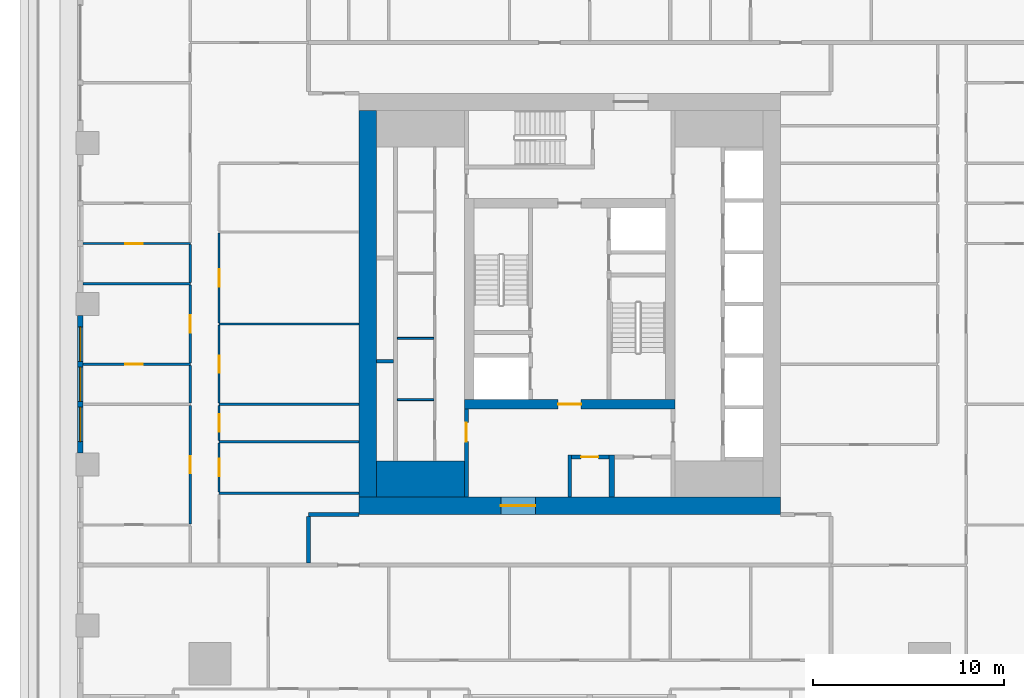
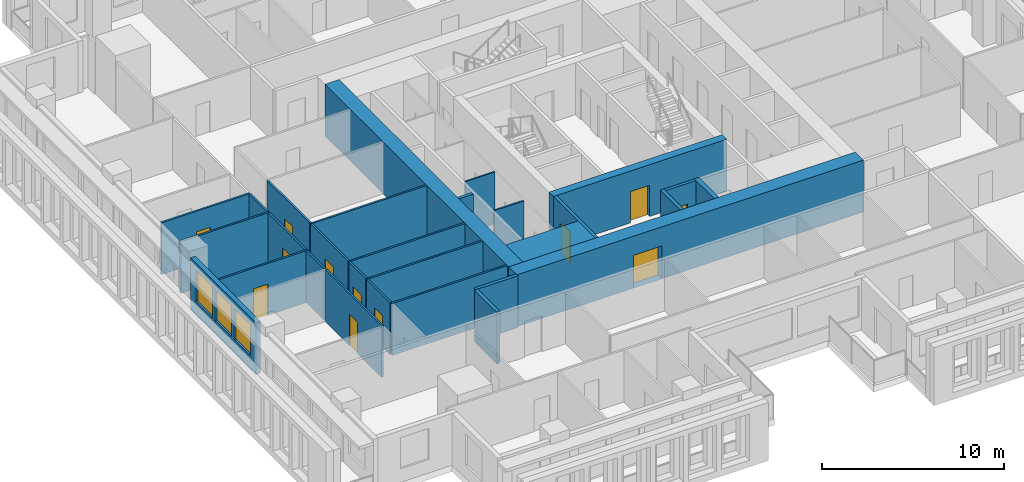
# One storey, part 3 of 15: 29 walls, 12 doors, 3 windows, 15 openings.
"""IFC4 building model written with IfcOpenShell, lengths in metres."""

import ifcopenshell
import ifcopenshell.guid

model = None  # the IFC model being written
_history = None  # IfcOwnerHistory: only IFC2X3 demands one
_inside = {}  # id of a spatial element -> (the spatial element, [elements in it])
_under = {}  # id of a project, library or spatial element -> (it, [spatial elements below it])
_declared = {}  # id of a project -> (the project, [libraries it declares])
_typed = {}  # id of a type object -> (the type object, [elements of that type])
_made_of = {}  # id of a material, layer set ... -> (it, [elements and type objects made of it])


def new_model(schema):
    """Start an empty IFC model of exactly this schema.

    Asked for "IFC4X3", IfcOpenShell would pick the latest addendum, in which some entities
    have other attributes; the version numbers below select the first issue.
    IFC2X3 requires an IfcOwnerHistory on every rooted entity: one is made here for all.
    """
    global model, _history
    if schema == "IFC4X3":
        model = ifcopenshell.file(schema_version=(4, 3, 0, 0))
    else:
        model = ifcopenshell.file(schema=schema)
    _inside.clear()
    _under.clear()
    _declared.clear()
    _typed.clear()
    _made_of.clear()
    _history = None
    if model.schema == "IFC2X3":
        org = make("IfcOrganization", Name="unknown")
        user = make(
            "IfcPersonAndOrganization",
            ThePerson=make("IfcPerson", FamilyName="unknown"),
            TheOrganization=org,
        )
        app = make(
            "IfcApplication",
            ApplicationDeveloper=org,
            Version="unknown",
            ApplicationFullName="unknown",
            ApplicationIdentifier="unknown",
        )
        _history = make(
            "IfcOwnerHistory",
            OwningUser=user,
            OwningApplication=app,
            ChangeAction="ADDED",
            CreationDate=0,
        )
    return model


def make(cls, **values):
    """One entity of the class cls with the attributes given. An attribute that is None is left unset."""
    return model.create_entity(
        cls, **{name: value for name, value in values.items() if value is not None}
    )


def rooted(cls, **values):
    """An entity with a GlobalId (a new one), such as an element, a storey or a relation."""
    return make(cls, GlobalId=ifcopenshell.guid.new(), OwnerHistory=_history, **values)


def si_unit(unit_type, name, prefix=None):
    """IfcSIUnit, for example si_unit("LENGTHUNIT", "METRE", prefix="MILLI")."""
    return make("IfcSIUnit", UnitType=unit_type, Prefix=prefix, Name=name)


def assignment(units):
    """IfcUnitAssignment: the units of a project."""
    return None if units is None else make("IfcUnitAssignment", Units=units)


def point(xyz):
    """IfcCartesianPoint."""
    return None if xyz is None else make("IfcCartesianPoint", Coordinates=xyz)


def direction(xyz):
    """IfcDirection."""
    return None if xyz is None else make("IfcDirection", DirectionRatios=xyz)


def frame(location, z_axis=None, x_axis=None):
    """IfcAxis2Placement3D, a coordinate frame: its origin and axes. An axis left out is left unset."""
    return make(
        "IfcAxis2Placement3D",
        Location=point(location),
        Axis=direction(z_axis),
        RefDirection=direction(x_axis),
    )


def frame_2d(location, x_axis=None):
    """IfcAxis2Placement2D, a coordinate frame in the plane: its origin and x axis."""
    return make(
        "IfcAxis2Placement2D", Location=point(location), RefDirection=direction(x_axis)
    )


def origin():
    """The frame at (0, 0, 0) with its axes left unset."""
    return frame((0.0, 0.0, 0.0))


def place(relative_to, where):
    """IfcLocalPlacement: puts the frame where relative to a parent placement (None: the world)."""
    return make(
        "IfcLocalPlacement", PlacementRelTo=relative_to, RelativePlacement=where
    )


def context(
    kind, dimensions, precision=None, world=None, true_north=None, identifier=None
):
    """IfcGeometricRepresentationContext, for example the 3D "Model" context."""
    return make(
        "IfcGeometricRepresentationContext",
        ContextIdentifier=identifier,
        ContextType=kind,
        CoordinateSpaceDimension=dimensions,
        Precision=precision,
        WorldCoordinateSystem=world,
        TrueNorth=true_north,
    )


def subcontext(parent, identifier, kind, view, scale=None):
    """IfcGeometricRepresentationSubContext, for example "Body" below "Model"."""
    return make(
        "IfcGeometricRepresentationSubContext",
        ContextIdentifier=identifier,
        ContextType=kind,
        ParentContext=parent,
        TargetScale=scale,
        TargetView=view,
    )


def project(units=None, contexts=None):
    """IfcProject with its units and contexts."""
    return rooted(
        "IfcProject",
        Name="project",
        RepresentationContexts=contexts,
        UnitsInContext=assignment(units),
    )


def spatial(cls, under=None, at=None, **own):
    """A site, building, storey or space (cls), placed at a placement, below another one or the project."""
    s = rooted(cls, ObjectPlacement=at, **own)
    if under is not None:
        _under.setdefault(under.id(), (under, []))[1].append(s)
    return s


def profile(cls, at=None, kind="AREA", **sizes):
    """A parametric profile (cls). Its sizes go by their IFC names, for example OverallWidth=200.0."""
    return make(cls, ProfileType=kind, Position=at, **sizes)


def rectangle(**sizes):
    """IfcRectangleProfileDef."""
    return profile("IfcRectangleProfileDef", **sizes)


def extrude(swept, where, along, depth):
    """IfcExtrudedAreaSolid: the profile swept, set in the frame where, extruded along a direction by depth."""
    return make(
        "IfcExtrudedAreaSolid",
        SweptArea=swept,
        Position=where,
        ExtrudedDirection=direction(along),
        Depth=depth,
    )


def shape(context_of_items, identifier, shape_type, items):
    """IfcShapeRepresentation: the items that make up one representation, for example the "Body"."""
    return make(
        "IfcShapeRepresentation",
        ContextOfItems=context_of_items,
        RepresentationIdentifier=identifier,
        RepresentationType=shape_type,
        Items=items,
    )


def material(Name=None, Category=None):
    """IfcMaterial."""
    return make("IfcMaterial", Name=Name, Category=Category)


def layer(
    of_material, thickness, ventilated=None, Name=None, Category=None, Priority=None
):
    """IfcMaterialLayer: one layer of a wall or slab, of a material (None: an air gap)."""
    return make(
        "IfcMaterialLayer",
        Material=of_material,
        LayerThickness=thickness,
        IsVentilated=ventilated,
        Name=Name,
        Category=Category,
        Priority=Priority,
    )


def layer_set(layers, Name=None):
    """IfcMaterialLayerSet."""
    return make("IfcMaterialLayerSet", MaterialLayers=layers, LayerSetName=Name)


def made_of(thing, what):
    """Note that an element or type object is made of a material, layer set ...; save() writes the relation."""
    if what is not None:
        _made_of.setdefault(what.id(), (what, []))[1].append(thing)
    return thing


def type_object(cls, material=None, **own):
    """A type object (cls), such as IfcWallType, which elements share."""
    return made_of(rooted(cls, **own), material)


def element(
    cls,
    number,
    at=None,
    inside=None,
    cuts=None,
    type_object=None,
    material=None,
    context=None,
    identifier="Body",
    shape_type=None,
    held_by="IfcProductDefinitionShape",
    body=None,
    shapes=None,
    **own,
):
    """One element of the class cls, such as IfcWall. Its Tag is "e" and its number.

    at: its placement. inside: the storey or other place that contains it. cuts: it is an
    opening in that element (IfcRelVoidsElement). A single representation is given by context,
    identifier, shape_type and body (its items); several are given by shapes. held_by: the class
    of the entity that holds the representations. save() writes the other relations.
    """
    e = rooted(cls, Tag="e%d" % number, ObjectPlacement=at, **own)
    if body is not None:
        shapes = [shape(context, identifier, shape_type, body)]
    if shapes is not None:
        e.Representation = make(held_by, Representations=shapes)
    if inside is not None:
        _inside.setdefault(inside.id(), (inside, []))[1].append(e)
    if cuts is not None:
        rooted(
            "IfcRelVoidsElement", RelatingBuildingElement=cuts, RelatedOpeningElement=e
        )
    if type_object is not None:
        _typed.setdefault(type_object.id(), (type_object, []))[1].append(e)
    return made_of(e, material)


def fill(opening, filler):
    """IfcRelFillsElement: the door or window that sits in an opening."""
    return rooted(
        "IfcRelFillsElement",
        RelatingOpeningElement=opening,
        RelatedBuildingElement=filler,
    )


def aggregate(whole, parts):
    """IfcRelAggregates: a whole, such as a stair, and the parts it consists of."""
    return rooted("IfcRelAggregates", RelatingObject=whole, RelatedObjects=parts)


def save(model, path):
    """Write the relations noted so far, then the file.

    IfcRelAggregates (storeys below a building ...), IfcRelContainedInSpatialStructure (elements
    in a storey), IfcRelDefinesByType, IfcRelAssociatesMaterial and IfcRelDeclares: one each for
    every whole, place, type object, material and project.
    """
    for whole, parts in _under.values():
        aggregate(whole, parts)
    for where, things in _inside.values():
        rooted(
            "IfcRelContainedInSpatialStructure",
            RelatedElements=things,
            RelatingStructure=where,
        )
    for kind, things in _typed.values():
        rooted("IfcRelDefinesByType", RelatedObjects=things, RelatingType=kind)
    for what, things in _made_of.values():
        rooted("IfcRelAssociatesMaterial", RelatedObjects=things, RelatingMaterial=what)
    for by, libraries in _declared.values():
        rooted("IfcRelDeclares", RelatingContext=by, RelatedDefinitions=libraries)
    model.write(path)


model = new_model("IFC4")

# Units and contexts
model_context = context("Model", 3, precision=1e-05, world=origin(), true_north=direction((0.0, 1.0)))
body_context = subcontext(model_context, "Body", "Model", "MODEL_VIEW")
ifc_project = project(units=[si_unit("LENGTHUNIT", "METRE"), si_unit("AREAUNIT", "SQUARE_METRE"), si_unit("VOLUMEUNIT", "CUBIC_METRE"), si_unit("PLANEANGLEUNIT", "RADIAN"), si_unit("MASSUNIT", "GRAM", prefix="KILO")], contexts=[model_context])

# Site, building, storey
site_placement = place(None, origin())
site = spatial("IfcSite", under=ifc_project, at=site_placement, CompositionType="ELEMENT")
building_placement = place(site_placement, origin())
building = spatial("IfcBuilding", under=site, at=building_placement, Name="Khepri Terraces", CompositionType="ELEMENT")
storey_placement = place(building_placement, frame((0.0, 0.0, 248.39990234375)))
storey = spatial("IfcBuildingStorey", under=building, at=storey_placement, Name="L59", CompositionType="ELEMENT", Elevation=248.39990234375)

# Walls
ifc_material_1 = material(Name="Concrete C40/50", Category="concrete")
ifc_layer_1 = layer(ifc_material_1, 1.89990234375, Name="Concrete C40/50", Category="concrete")
ifc_layer_set_1 = layer_set([ifc_layer_1], Name="Concrete C40/50")
wall_type_1 = type_object("IfcWallType", Name="Core wall 1900 C40/50", PredefinedType="SHEAR", material=ifc_layer_set_1)
wall_1_placement = place(storey_placement, frame((-10.10009765625, -9.14990234375, 0.0), z_axis=(0.0, 0.0, 1.0), x_axis=(1.0, 0.0, 0.0)))
element("IfcWall", 1, at=wall_1_placement, inside=storey, type_object=wall_type_1, Name="Core wall PR01 L59", PredefinedType="SHEAR", context=body_context, shape_type="SweptSolid", body=[
    extrude(rectangle(XDim=4.60009765625, YDim=1.89990234375, at=frame_2d((2.300048828125, 0.0))), origin(), (0.0, 0.0, 1.0), 3.47998046875),
])
ifc_layer_2 = layer(ifc_material_1, 0.199951171875, Name="Concrete C40/50", Category="concrete")
ifc_layer_set_2 = layer_set([ifc_layer_2], Name="Concrete C40/50")
wall_type_2 = type_object("IfcWallType", Name="Core wall 200 C40/50", PredefinedType="SHEAR", material=ifc_layer_set_2)
wall_2_placement = place(storey_placement, frame((-10.10009765625, -3.0, 0.0), z_axis=(0.0, 0.0, 1.0), x_axis=(1.0, 0.0, 0.0)))
element("IfcWall", 2, at=wall_2_placement, inside=storey, type_object=wall_type_2, Name="Core wall SH06 L59", PredefinedType="SHEAR", context=body_context, shape_type="SweptSolid", body=[
    extrude(rectangle(XDim=0.900146484375, YDim=0.199951171875, at=frame_2d((0.4501953125, 0.0))), origin(), (0.0, 0.0, 1.0), 3.47998046875),
])

# Wall, opening, door
ifc_layer_3 = layer(ifc_material_1, 0.5, Name="Concrete C40/50", Category="concrete")
ifc_layer_set_3 = layer_set([ifc_layer_3], Name="Concrete C40/50")
wall_type_3 = type_object("IfcWallType", Name="Core wall 500 C40/50", PredefinedType="SHEAR", material=ifc_layer_set_3)
wall_3_placement = place(storey_placement, frame((-5.5, -5.25, 0.0), z_axis=(0.0, 0.0, 1.0), x_axis=(1.0, 0.0, 0.0)))
wall_3 = element("IfcWall", 3, at=wall_3_placement, inside=storey, type_object=wall_type_3, Name="Core wall BX01 L59", PredefinedType="SHEAR", context=body_context, shape_type="SweptSolid", body=[
    extrude(rectangle(XDim=11.0, YDim=0.5, at=frame_2d((5.5, 0.0))), origin(), (0.0, 0.0, 1.0), 3.47998046875),
])
opening_1_placement = place(wall_3_placement, frame((4.89990234375, 0.0, 0.0)))
opening_1 = element("IfcOpeningElement", 4, at=opening_1_placement, cuts=wall_3, Name="Opening L59-C14", PredefinedType="OPENING", context=body_context, shape_type="SweptSolid", body=[
    extrude(rectangle(XDim=1.199951171875, YDim=2.10009765625, at=frame_2d((0.60009765625, 1.050048828125))), frame((0.0, 0.260009765625, 0.0), z_axis=(0.0, -1.0, 0.0), x_axis=(1.0, 0.0, 0.0)), (0.0, 0.0, 1.0), 0.52001953125),
])
ifc_material_2 = material(Name="Painted steel", Category="steel")
door_type_1 = type_object("IfcDoorType", Name="DR-CORE-FF-LOBBY-1200", OperationType="NOTDEFINED", PredefinedType="DOOR", material=ifc_material_2)
door_1_placement = place(opening_1_placement, origin())
door_1 = element("IfcDoor", 5, at=door_1_placement, inside=storey, type_object=door_type_1, Name="Firefighting lobby door L59-C14", OperationType="SINGLE_SWING_RIGHT", OverallHeight=2.10009765625, OverallWidth=1.199951171875, PredefinedType="DOOR", context=body_context, shape_type="SweptSolid", body=[
    extrude(rectangle(XDim=1.199951171875, YDim=2.10009765625, at=frame_2d((0.60009765625, 1.050048828125))), frame((0.0, 0.02490234375, 0.0), z_axis=(0.0, -1.0, 0.0), x_axis=(1.0, 0.0, 0.0)), (0.0, 0.0, 1.0), 0.050048828125),
])
fill(opening_1, door_1)

ifc_layer_4 = layer(ifc_material_1, 0.89990234375, Name="Concrete C40/50", Category="concrete")
ifc_layer_set_4 = layer_set([ifc_layer_4], Name="Concrete C40/50")
wall_type_4 = type_object("IfcWallType", Name="Core wall 900 C40/50", PredefinedType="SHEAR", material=ifc_layer_set_4)
wall_4_placement = place(storey_placement, frame((-11.0, -10.550048828125, 0.0), z_axis=(0.0, 0.0, 1.0), x_axis=(1.0, 0.0, 0.0)))
wall_4 = element("IfcWall", 6, at=wall_4_placement, inside=storey, type_object=wall_type_4, Name="Core wall OW-S L59", PredefinedType="SHEAR", context=body_context, shape_type="SweptSolid", body=[
    extrude(rectangle(XDim=22.0, YDim=0.89990234375, at=frame_2d((11.0, 0.0))), origin(), (0.0, 0.0, 1.0), 3.47998046875),
])
opening_2_placement = place(wall_4_placement, frame((7.39990234375, 0.0, 0.0)))
opening_2 = element("IfcOpeningElement", 7, at=opening_2_placement, cuts=wall_4, Name="Opening L59-C21", PredefinedType="OPENING", context=body_context, shape_type="SweptSolid", body=[
    extrude(rectangle(XDim=1.800048828125, YDim=2.199951171875, at=frame_2d((0.89990234375, 1.10009765625))), frame((0.0, 0.4599609375, 0.0), z_axis=(0.0, -1.0, 0.0), x_axis=(1.0, 0.0, 0.0)), (0.0, 0.0, 1.0), 0.919921875),
])
door_type_2 = type_object("IfcDoorType", Name="DR-CORE-ENTRANCE-1800", OperationType="NOTDEFINED", PredefinedType="DOOR", material=ifc_material_2)
door_2_placement = place(opening_2_placement, frame((1.800048828125, 0.0, 0.0), z_axis=(0.0, 0.0, 1.0), x_axis=(-1.0, 0.0, 0.0)))
door_2 = element("IfcDoor", 8, at=door_2_placement, inside=storey, type_object=door_type_2, Name="Core entrance door pair L59-C21", OperationType="DOUBLE_DOOR_SINGLE_SWING", OverallHeight=2.199951171875, OverallWidth=1.800048828125, PredefinedType="DOOR", context=body_context, shape_type="SweptSolid", body=[
    extrude(rectangle(XDim=1.800048828125, YDim=2.199951171875, at=frame_2d((0.89990234375, 1.10009765625))), frame((0.0, 0.02490234375, 0.0), z_axis=(0.0, -1.0, 0.0), x_axis=(1.0, 0.0, 0.0)), (0.0, 0.0, 1.0), 0.050048828125),
])
fill(opening_2, door_2)

# Walls
wall_5_placement = place(storey_placement, frame((-10.550048828125, -10.10009765625, 0.0), z_axis=(0.0, 0.0, 1.0), x_axis=(0.0, 1.0, 0.0)))
element("IfcWall", 9, at=wall_5_placement, inside=storey, type_object=wall_type_4, Name="Core wall OW-W L59", PredefinedType="SHEAR", context=body_context, shape_type="SweptSolid", body=[
    extrude(rectangle(XDim=20.2001953125, YDim=0.89990234375, at=frame_2d((10.10009765625, 0.0))), origin(), (0.0, 0.0, 1.0), 3.47998046875),
])
ifc_material_3 = material(Name="Fire-rated gypsum board partition")
ifc_layer_5 = layer(ifc_material_3, 0.10009765625, Name="Fire-rated gypsum board partition")
ifc_layer_set_5 = layer_set([ifc_layer_5], Name="Fire-rated gypsum board partition")
wall_type_5 = type_object("IfcWallType", Name="WL-CORE-PART-100", PredefinedType="PARTITIONING", material=ifc_layer_set_5)
for number, where, z_axis, x_axis, name in (
    (10, (-9.0, -5.0, 0.0), (0.0, 0.0, 1.0), (1.0, 0.0, 0.0), "Core partition PT08 L59"),
    (11, (-9.0, -1.800048828125, 0.0), (0.0, 0.0, 1.0), (1.0, 0.0, 0.0), "Core partition PT09 L59"),
):
    element("IfcWall", number, at=place(storey_placement, frame(where, z_axis=z_axis, x_axis=x_axis)), inside=storey, type_object=wall_type_5, Name=name, PredefinedType="PARTITIONING", context=body_context, shape_type="SweptSolid", body=[
        extrude(rectangle(XDim=1.89990234375, YDim=0.10009765625, at=frame_2d((0.949951171875, 0.0))), origin(), (0.0, 0.0, 1.0), 3.47998046875),
    ])

# Wall, opening, door
ifc_layer_6 = layer(ifc_material_3, 0.199951171875, Name="Fire-rated gypsum board partition")
ifc_layer_set_6 = layer_set([ifc_layer_6], Name="Fire-rated gypsum board partition")
wall_type_6 = type_object("IfcWallType", Name="WL-CORE-PART-200", PredefinedType="PARTITIONING", material=ifc_layer_set_6)
wall_6_placement = place(storey_placement, frame((-5.39990234375, -10.10009765625, 0.0), z_axis=(0.0, 0.0, 1.0), x_axis=(0.0, 1.0, 0.0)))
wall_6 = element("IfcWall", 12, at=wall_6_placement, inside=storey, type_object=wall_type_6, Name="Core partition PT01 L59", PredefinedType="PARTITIONING", context=body_context, shape_type="SweptSolid", body=[
    extrude(rectangle(XDim=4.60009765625, YDim=0.199951171875, at=frame_2d((2.300048828125, 0.0))), origin(), (0.0, 0.0, 1.0), 3.47998046875),
])
opening_3_placement = place(wall_6_placement, frame((2.89990234375, 0.0, 0.0)))
opening_3 = element("IfcOpeningElement", 13, at=opening_3_placement, cuts=wall_6, Name="Opening L59-C18", PredefinedType="OPENING", context=body_context, shape_type="SweptSolid", body=[
    extrude(rectangle(XDim=1.0, YDim=2.10009765625, at=frame_2d((0.5, 1.050048828125))), frame((0.0, 0.10986328125, 0.0), z_axis=(0.0, -1.0, 0.0), x_axis=(1.0, 0.0, 0.0)), (0.0, 0.0, 1.0), 0.219970703125),
])
door_type_3 = type_object("IfcDoorType", Name="DR-CORE-LOBBY-1000", OperationType="NOTDEFINED", PredefinedType="DOOR", material=ifc_material_2)
door_3_placement = place(opening_3_placement, frame((1.0, 0.0, 0.0), z_axis=(0.0, 0.0, 1.0), x_axis=(-1.0, 0.0, 0.0)))
door_3 = element("IfcDoor", 14, at=door_3_placement, inside=storey, type_object=door_type_3, Name="Lobby door L59-C18", OperationType="SINGLE_SWING_LEFT", OverallHeight=2.10009765625, OverallWidth=1.0, PredefinedType="DOOR", context=body_context, shape_type="SweptSolid", body=[
    extrude(rectangle(XDim=1.0, YDim=2.10009765625, at=frame_2d((0.5, 1.050048828125))), frame((0.0, 0.02490234375, 0.0), z_axis=(0.0, -1.0, 0.0), x_axis=(1.0, 0.0, 0.0)), (0.0, 0.0, 1.0), 0.050048828125),
])
fill(opening_3, door_3)

# Wall
wall_7_placement = place(storey_placement, frame((0.0, -10.10009765625, 0.0), z_axis=(0.0, 0.0, 1.0), x_axis=(0.0, 1.0, 0.0)))
element("IfcWall", 15, at=wall_7_placement, inside=storey, type_object=wall_type_6, Name="Core partition PT02 L59", PredefinedType="PARTITIONING", context=body_context, shape_type="SweptSolid", body=[
    extrude(rectangle(XDim=2.2001953125, YDim=0.199951171875, at=frame_2d((1.10009765625, 0.0))), origin(), (0.0, 0.0, 1.0), 3.47998046875),
])

# Wall, opening, door
wall_8_placement = place(storey_placement, frame((0.10009765625, -8.0, 0.0), z_axis=(0.0, 0.0, 1.0), x_axis=(1.0, 0.0, 0.0)))
wall_8 = element("IfcWall", 16, at=wall_8_placement, inside=storey, type_object=wall_type_6, Name="Core partition PT06 L59", PredefinedType="PARTITIONING", context=body_context, shape_type="SweptSolid", body=[
    extrude(rectangle(XDim=1.949951171875, YDim=0.199951171875, at=frame_2d((0.97509765625, 0.0))), origin(), (0.0, 0.0, 1.0), 3.47998046875),
])
opening_4_placement = place(wall_8_placement, frame((0.5, 0.0, 0.0)))
opening_4 = element("IfcOpeningElement", 17, at=opening_4_placement, cuts=wall_8, Name="Opening L59-C22", PredefinedType="OPENING", context=body_context, shape_type="SweptSolid", body=[
    extrude(rectangle(XDim=0.89990234375, YDim=2.10009765625, at=frame_2d((0.449951171875, 1.050048828125))), frame((0.0, 0.10986328125, 0.0), z_axis=(0.0, -1.0, 0.0), x_axis=(1.0, 0.0, 0.0)), (0.0, 0.0, 1.0), 0.219970703125),
])
door_type_4 = type_object("IfcDoorType", Name="DR-CORE-SERVICE-900", OperationType="NOTDEFINED", PredefinedType="DOOR", material=ifc_material_2)
door_4_placement = place(opening_4_placement, frame((0.89990234375, 0.0, 0.0), z_axis=(0.0, 0.0, 1.0), x_axis=(-1.0, 0.0, 0.0)))
door_4 = element("IfcDoor", 18, at=door_4_placement, inside=storey, type_object=door_type_4, Name="Service room door L59-C22", OperationType="SINGLE_SWING_RIGHT", OverallHeight=2.10009765625, OverallWidth=0.89990234375, PredefinedType="DOOR", context=body_context, shape_type="SweptSolid", body=[
    extrude(rectangle(XDim=0.89990234375, YDim=2.10009765625, at=frame_2d((0.449951171875, 1.050048828125))), frame((0.0, 0.02490234375, 0.0), z_axis=(0.0, -1.0, 0.0), x_axis=(1.0, 0.0, 0.0)), (0.0, 0.0, 1.0), 0.050048828125),
])
fill(opening_4, door_4)

# Walls
ifc_layer_7 = layer(ifc_material_3, 0.300048828125, Name="Fire-rated gypsum board partition")
ifc_layer_set_7 = layer_set([ifc_layer_7], Name="Fire-rated gypsum board partition")
wall_type_7 = type_object("IfcWallType", Name="WL-CORE-PART-300", PredefinedType="PARTITIONING", material=ifc_layer_set_7)
wall_9_placement = place(storey_placement, frame((2.199951171875, -10.10009765625, 0.0), z_axis=(0.0, 0.0, 1.0), x_axis=(0.0, 1.0, 0.0)))
element("IfcWall", 19, at=wall_9_placement, inside=storey, type_object=wall_type_7, Name="Core partition PT03 L59", PredefinedType="PARTITIONING", context=body_context, shape_type="SweptSolid", body=[
    extrude(rectangle(XDim=2.2001953125, YDim=0.300048828125, at=frame_2d((1.10009765625, 0.0))), origin(), (0.0, 0.0, 1.0), 3.47998046875),
])
ifc_material_4 = material(Name="Fire-rated gypsum plasterboard partition, mineral wool")
ifc_layer_8 = layer(ifc_material_4, 0.199951171875, Name="Fire-rated gypsum plasterboard partition, mineral wool")
ifc_layer_set_8 = layer_set([ifc_layer_8], Name="Fire-rated gypsum plasterboard partition, mineral wool")
wall_type_8 = type_object("IfcWallType", Name="WL-CORR-200", PredefinedType="PARTITIONING", material=ifc_layer_set_8)
wall_10_placement = place(storey_placement, frame((-13.64990234375, -13.550048828125, 0.0), z_axis=(0.0, 0.0, 1.0), x_axis=(0.0, 1.0, 0.0)))
element("IfcWall", 20, at=wall_10_placement, inside=storey, type_object=wall_type_8, Name="Partition P-024 L59", PredefinedType="PARTITIONING", context=body_context, shape_type="SweptSolid", body=[
    extrude(rectangle(XDim=2.449951171875, YDim=0.199951171875, at=frame_2d((1.22509765625, 0.0))), origin(), (0.0, 0.0, 1.0), 3.47998046875),
])
wall_11_placement = place(storey_placement, frame((-13.64990234375, -11.0, 0.0), z_axis=(0.0, 0.0, 1.0), x_axis=(1.0, 0.0, 0.0)))
element("IfcWall", 21, at=wall_11_placement, inside=storey, type_object=wall_type_8, Name="Partition P-030 L59", PredefinedType="PARTITIONING", context=body_context, shape_type="SweptSolid", body=[
    extrude(rectangle(XDim=2.64990234375, YDim=0.199951171875, at=frame_2d((1.324951171875, 0.0))), origin(), (0.0, 0.0, 1.0), 3.47998046875),
])

# Wall, openings, windows
ifc_material_5 = material(Name="Precast concrete C50/60 warm stone", Category="masonry")
ifc_layer_9 = layer(ifc_material_5, 0.300048828125, Name="Precast concrete C50/60 warm stone", Category="masonry")
ifc_layer_set_9 = layer_set([ifc_layer_9], Name="Precast concrete C50/60 warm stone")
wall_type_9 = type_object("IfcWallType", Name="WL-EXT-PRECAST-300", PredefinedType="STANDARD", material=ifc_layer_set_9)
wall_12_placement = place(storey_placement, frame((-25.570068359375, -0.60009765625, 0.0), z_axis=(0.0, 0.0, 1.0), x_axis=(0.0, -1.0, 0.0)))
wall_12 = element("IfcWall", 22, at=wall_12_placement, inside=storey, type_object=wall_type_9, Name="External wall L59 W", PredefinedType="STANDARD", context=body_context, shape_type="SweptSolid", body=[
    extrude(rectangle(XDim=7.199951171875, YDim=0.300048828125, at=frame_2d((3.60009765625, 0.0))), origin(), (0.0, 0.0, 1.0), 3.47998046875),
])
opening_5_placement = place(wall_12_placement, frame((0.60009765625, 0.0, 0.89990234375)))
opening_5 = element("IfcOpeningElement", 23, at=opening_5_placement, cuts=wall_12, Name="Opening W1", PredefinedType="OPENING", context=body_context, shape_type="SweptSolid", body=[
    extrude(rectangle(XDim=1.800048828125, YDim=2.10009765625, at=frame_2d((0.89990234375, 1.050048828125))), frame((0.0, 0.16015625, 0.0), z_axis=(0.0, -1.0, 0.0), x_axis=(1.0, 0.0, 0.0)), (0.0, 0.0, 1.0), 0.320068359375),
])
opening_6_placement = place(wall_12_placement, frame((2.699951171875, 0.0, 0.89990234375)))
opening_6 = element("IfcOpeningElement", 24, at=opening_6_placement, cuts=wall_12, Name="Opening W1", PredefinedType="OPENING", context=body_context, shape_type="SweptSolid", body=[
    extrude(rectangle(XDim=1.800048828125, YDim=2.10009765625, at=frame_2d((0.89990234375, 1.050048828125))), frame((0.0, 0.16015625, 0.0), z_axis=(0.0, -1.0, 0.0), x_axis=(1.0, 0.0, 0.0)), (0.0, 0.0, 1.0), 0.320068359375),
])
opening_7_placement = place(wall_12_placement, frame((4.800048828125, 0.0, 0.89990234375)))
opening_7 = element("IfcOpeningElement", 25, at=opening_7_placement, cuts=wall_12, Name="Opening W1", PredefinedType="OPENING", context=body_context, shape_type="SweptSolid", body=[
    extrude(rectangle(XDim=1.800048828125, YDim=2.10009765625, at=frame_2d((0.89990234375, 1.050048828125))), frame((0.0, 0.16015625, 0.0), z_axis=(0.0, -1.0, 0.0), x_axis=(1.0, 0.0, 0.0)), (0.0, 0.0, 1.0), 0.320068359375),
])
ifc_material_6 = material(Name="Clear glass", Category="glass")
window_type = type_object("IfcWindowType", Name="WIN-RES-1800x2100", PartitioningType="SINGLE_PANEL", PredefinedType="WINDOW", material=ifc_material_6)
window_1_placement = place(opening_5_placement, origin())
window_1 = element("IfcWindow", 26, at=window_1_placement, inside=storey, type_object=window_type, Name="Window L59 W", OverallHeight=2.10009765625, OverallWidth=1.800048828125, PartitioningType="SINGLE_PANEL", PredefinedType="WINDOW", context=body_context, shape_type="SweptSolid", body=[
    extrude(rectangle(XDim=1.800048828125, YDim=2.10009765625, at=frame_2d((0.89990234375, 1.050048828125))), frame((0.0, 0.030029296875, 0.0), z_axis=(0.0, -1.0, 0.0), x_axis=(1.0, 0.0, 0.0)), (0.0, 0.0, 1.0), 0.06005859375),
])
fill(opening_5, window_1)
window_2_placement = place(opening_6_placement, origin())
window_2 = element("IfcWindow", 27, at=window_2_placement, inside=storey, type_object=window_type, Name="Window L59 W", OverallHeight=2.10009765625, OverallWidth=1.800048828125, PartitioningType="SINGLE_PANEL", PredefinedType="WINDOW", context=body_context, shape_type="SweptSolid", body=[
    extrude(rectangle(XDim=1.800048828125, YDim=2.10009765625, at=frame_2d((0.89990234375, 1.050048828125))), frame((0.0, 0.030029296875, 0.0), z_axis=(0.0, -1.0, 0.0), x_axis=(1.0, 0.0, 0.0)), (0.0, 0.0, 1.0), 0.06005859375),
])
fill(opening_6, window_2)
window_3_placement = place(opening_7_placement, origin())
window_3 = element("IfcWindow", 28, at=window_3_placement, inside=storey, type_object=window_type, Name="Window L59 W", OverallHeight=2.10009765625, OverallWidth=1.800048828125, PartitioningType="SINGLE_PANEL", PredefinedType="WINDOW", context=body_context, shape_type="SweptSolid", body=[
    extrude(rectangle(XDim=1.800048828125, YDim=2.10009765625, at=frame_2d((0.89990234375, 1.050048828125))), frame((0.0, 0.030029296875, 0.0), z_axis=(0.0, -1.0, 0.0), x_axis=(1.0, 0.0, 0.0)), (0.0, 0.0, 1.0), 0.06005859375),
])
fill(opening_7, window_3)

# Wall, opening, door
ifc_material_7 = material(Name="Gypsum plasterboard partition")
ifc_layer_10 = layer(ifc_material_7, 0.1201171875, Name="Gypsum plasterboard partition")
ifc_layer_set_10 = layer_set([ifc_layer_10], Name="Gypsum plasterboard partition")
wall_type_10 = type_object("IfcWallType", Name="WL-PART-120", PredefinedType="PARTITIONING", material=ifc_layer_set_10)
wall_13_placement = place(storey_placement, frame((-19.820068359375, -11.489990234375, 0.0), z_axis=(0.0, 0.0, 1.0), x_axis=(0.0, 1.0, 0.0)))
wall_13 = element("IfcWall", 29, at=wall_13_placement, inside=storey, type_object=wall_type_10, Name="Partition P-028 L59", PredefinedType="PARTITIONING", context=body_context, shape_type="SweptSolid", body=[
    extrude(rectangle(XDim=6.179931640625, YDim=0.1201171875, at=frame_2d((3.08984375, 0.0))), origin(), (0.0, 0.0, 1.0), 3.47998046875),
])
opening_8_placement = place(wall_13_placement, frame((2.639892578125, 0.0, 0.0)))
opening_8 = element("IfcOpeningElement", 30, at=opening_8_placement, cuts=wall_13, Name="Opening D3", PredefinedType="OPENING", context=body_context, shape_type="SweptSolid", body=[
    extrude(rectangle(XDim=0.89990234375, YDim=2.10009765625, at=frame_2d((0.449951171875, 1.050048828125))), frame((0.0, 0.070068359375, 0.0), z_axis=(0.0, -1.0, 0.0), x_axis=(1.0, 0.0, 0.0)), (0.0, 0.0, 1.0), 0.14013671875),
])
ifc_material_8 = material(Name="Timber door leaf", Category="wood")
door_type_5 = type_object("IfcDoorType", Name="DR-INT-900", OperationType="NOTDEFINED", PredefinedType="DOOR", material=ifc_material_8)
door_5_placement = place(opening_8_placement, origin())
door_5 = element("IfcDoor", 31, at=door_5_placement, inside=storey, type_object=door_type_5, Name="Door Bedroom", OperationType="SINGLE_SWING_LEFT", OverallHeight=2.10009765625, OverallWidth=0.89990234375, PredefinedType="DOOR", context=body_context, shape_type="SweptSolid", body=[
    extrude(rectangle(XDim=0.89990234375, YDim=2.10009765625, at=frame_2d((0.449951171875, 1.050048828125))), frame((0.0, 0.02490234375, 0.0), z_axis=(0.0, -1.0, 0.0), x_axis=(1.0, 0.0, 0.0)), (0.0, 0.0, 1.0), 0.050048828125),
])
fill(opening_8, door_5)

# Wall
wall_14_placement = place(storey_placement, frame((-18.320068359375, -9.89990234375, 0.0), z_axis=(0.0, 0.0, 1.0), x_axis=(1.0, 0.0, 0.0)))
element("IfcWall", 32, at=wall_14_placement, inside=storey, type_object=wall_type_10, Name="Partition P-032 L59", PredefinedType="PARTITIONING", context=body_context, shape_type="SweptSolid", body=[
    extrude(rectangle(XDim=7.320068359375, YDim=0.1201171875, at=frame_2d((3.66015625, 0.0))), origin(), (0.0, 0.0, 1.0), 3.47998046875),
])

# Wall, opening, door
wall_15_placement = place(storey_placement, frame((-18.320068359375, -9.840087890625, 0.0), z_axis=(0.0, 0.0, 1.0), x_axis=(0.0, 1.0, 0.0)))
wall_15 = element("IfcWall", 33, at=wall_15_placement, inside=storey, type_object=wall_type_10, Name="Partition P-033 L59", PredefinedType="PARTITIONING", context=body_context, shape_type="SweptSolid", body=[
    extrude(rectangle(XDim=2.580078125, YDim=0.1201171875, at=frame_2d((1.2900390625, 0.0))), origin(), (0.0, 0.0, 1.0), 3.47998046875),
])
opening_9_placement = place(wall_15_placement, frame((0.840087890625, 0.0, 0.0)))
opening_9 = element("IfcOpeningElement", 34, at=opening_9_placement, cuts=wall_15, Name="Opening D4", PredefinedType="OPENING", context=body_context, shape_type="SweptSolid", body=[
    extrude(rectangle(XDim=0.89990234375, YDim=2.10009765625, at=frame_2d((0.449951171875, 1.050048828125))), frame((0.0, 0.070068359375, 0.0), z_axis=(0.0, -1.0, 0.0), x_axis=(1.0, 0.0, 0.0)), (0.0, 0.0, 1.0), 0.14013671875),
])
ifc_material_9 = material(Name="Timber door leaf, moisture resistant", Category="wood")
door_type_6 = type_object("IfcDoorType", Name="DR-WET-900", OperationType="NOTDEFINED", PredefinedType="DOOR", material=ifc_material_9)
door_6_placement = place(opening_9_placement, frame((0.89990234375, 0.0, 0.0), z_axis=(0.0, 0.0, 1.0), x_axis=(-1.0, 0.0, 0.0)))
door_6 = element("IfcDoor", 35, at=door_6_placement, inside=storey, type_object=door_type_6, Name="Door Guest Bathroom", OperationType="SINGLE_SWING_RIGHT", OverallHeight=2.10009765625, OverallWidth=0.89990234375, PredefinedType="DOOR", context=body_context, shape_type="SweptSolid", body=[
    extrude(rectangle(XDim=0.89990234375, YDim=2.10009765625, at=frame_2d((0.449951171875, 1.050048828125))), frame((0.0, 0.02490234375, 0.0), z_axis=(0.0, -1.0, 0.0), x_axis=(1.0, 0.0, 0.0)), (0.0, 0.0, 1.0), 0.050048828125),
])
fill(opening_9, door_6)

# Wall
wall_16_placement = place(storey_placement, frame((-18.320068359375, -7.199951171875, 0.0), z_axis=(0.0, 0.0, 1.0), x_axis=(1.0, 0.0, 0.0)))
element("IfcWall", 36, at=wall_16_placement, inside=storey, type_object=wall_type_10, Name="Partition P-036 L59", PredefinedType="PARTITIONING", context=body_context, shape_type="SweptSolid", body=[
    extrude(rectangle(XDim=7.320068359375, YDim=0.1201171875, at=frame_2d((3.66015625, 0.0))), origin(), (0.0, 0.0, 1.0), 3.47998046875),
])

# Wall, opening, door
wall_17_placement = place(storey_placement, frame((-18.320068359375, -7.139892578125, 0.0), z_axis=(0.0, 0.0, 1.0), x_axis=(0.0, 1.0, 0.0)))
wall_17 = element("IfcWall", 37, at=wall_17_placement, inside=storey, type_object=wall_type_10, Name="Partition P-037 L59", PredefinedType="PARTITIONING", context=body_context, shape_type="SweptSolid", body=[
    extrude(rectangle(XDim=1.829833984375, YDim=0.1201171875, at=frame_2d((0.9150390625, 0.0))), origin(), (0.0, 0.0, 1.0), 3.47998046875),
])
opening_10_placement = place(wall_17_placement, frame((0.465087890625, 0.0, 0.0)))
opening_10 = element("IfcOpeningElement", 38, at=opening_10_placement, cuts=wall_17, Name="Opening D4", PredefinedType="OPENING", context=body_context, shape_type="SweptSolid", body=[
    extrude(rectangle(XDim=0.89990234375, YDim=2.10009765625, at=frame_2d((0.449951171875, 1.050048828125))), frame((0.0, 0.070068359375, 0.0), z_axis=(0.0, -1.0, 0.0), x_axis=(1.0, 0.0, 0.0)), (0.0, 0.0, 1.0), 0.14013671875),
])
door_7_placement = place(opening_10_placement, frame((0.89990234375, 0.0, 0.0), z_axis=(0.0, 0.0, 1.0), x_axis=(-1.0, 0.0, 0.0)))
door_7 = element("IfcDoor", 39, at=door_7_placement, inside=storey, type_object=door_type_6, Name="Door Powder Room", OperationType="SINGLE_SWING_LEFT", OverallHeight=2.10009765625, OverallWidth=0.89990234375, PredefinedType="DOOR", context=body_context, shape_type="SweptSolid", body=[
    extrude(rectangle(XDim=0.89990234375, YDim=2.10009765625, at=frame_2d((0.449951171875, 1.050048828125))), frame((0.0, 0.02490234375, 0.0), z_axis=(0.0, -1.0, 0.0), x_axis=(1.0, 0.0, 0.0)), (0.0, 0.0, 1.0), 0.050048828125),
])
fill(opening_10, door_7)

# Walls
wall_18_placement = place(storey_placement, frame((-18.320068359375, -5.25, 0.0), z_axis=(0.0, 0.0, 1.0), x_axis=(1.0, 0.0, 0.0)))
element("IfcWall", 40, at=wall_18_placement, inside=storey, type_object=wall_type_10, Name="Partition P-039 L59", PredefinedType="PARTITIONING", context=body_context, shape_type="SweptSolid", body=[
    extrude(rectangle(XDim=7.320068359375, YDim=0.1201171875, at=frame_2d((3.66015625, 0.0))), origin(), (0.0, 0.0, 1.0), 3.47998046875),
])
wall_19_placement = place(storey_placement, frame((-19.820068359375, -5.18994140625, 0.0), z_axis=(0.0, 0.0, 1.0), x_axis=(0.0, 1.0, 0.0)))
element("IfcWall", 41, at=wall_19_placement, inside=storey, type_object=wall_type_10, Name="Partition P-041 L59", PredefinedType="PARTITIONING", context=body_context, shape_type="SweptSolid", body=[
    extrude(rectangle(XDim=1.97998046875, YDim=0.1201171875, at=frame_2d((0.989990234375, 0.0))), origin(), (0.0, 0.0, 1.0), 3.47998046875),
])

# Wall, opening, door
wall_20_placement = place(storey_placement, frame((-18.320068359375, -5.18994140625, 0.0), z_axis=(0.0, 0.0, 1.0), x_axis=(0.0, 1.0, 0.0)))
wall_20 = element("IfcWall", 42, at=wall_20_placement, inside=storey, type_object=wall_type_10, Name="Partition P-042 L59", PredefinedType="PARTITIONING", context=body_context, shape_type="SweptSolid", body=[
    extrude(rectangle(XDim=4.079833984375, YDim=0.1201171875, at=frame_2d((2.0400390625, 0.0))), origin(), (0.0, 0.0, 1.0), 3.47998046875),
])
opening_11_placement = place(wall_20_placement, frame((1.590087890625, 0.0, 0.0)))
opening_11 = element("IfcOpeningElement", 43, at=opening_11_placement, cuts=wall_20, Name="Opening D3", PredefinedType="OPENING", context=body_context, shape_type="SweptSolid", body=[
    extrude(rectangle(XDim=0.89990234375, YDim=2.10009765625, at=frame_2d((0.449951171875, 1.050048828125))), frame((0.0, 0.070068359375, 0.0), z_axis=(0.0, -1.0, 0.0), x_axis=(1.0, 0.0, 0.0)), (0.0, 0.0, 1.0), 0.14013671875),
])
door_8_placement = place(opening_11_placement, frame((0.89990234375, 0.0, 0.0), z_axis=(0.0, 0.0, 1.0), x_axis=(-1.0, 0.0, 0.0)))
door_8 = element("IfcDoor", 44, at=door_8_placement, inside=storey, type_object=door_type_5, Name="Door Staff Bedroom", OperationType="SINGLE_SWING_LEFT", OverallHeight=2.10009765625, OverallWidth=0.89990234375, PredefinedType="DOOR", context=body_context, shape_type="SweptSolid", body=[
    extrude(rectangle(XDim=0.89990234375, YDim=2.10009765625, at=frame_2d((0.449951171875, 1.050048828125))), frame((0.0, 0.02490234375, 0.0), z_axis=(0.0, -1.0, 0.0), x_axis=(1.0, 0.0, 0.0)), (0.0, 0.0, 1.0), 0.050048828125),
])
fill(opening_11, door_8)

wall_21_placement = place(storey_placement, frame((-25.419921875, -3.14990234375, 0.0), z_axis=(0.0, 0.0, 1.0), x_axis=(1.0, 0.0, 0.0)))
wall_21 = element("IfcWall", 45, at=wall_21_placement, inside=storey, type_object=wall_type_10, Name="Partition P-044 L59", PredefinedType="PARTITIONING", context=body_context, shape_type="SweptSolid", body=[
    extrude(rectangle(XDim=5.599853515625, YDim=0.1201171875, at=frame_2d((2.7998046875, 0.0))), origin(), (0.0, 0.0, 1.0), 3.47998046875),
])
opening_12_placement = place(wall_21_placement, frame((2.199951171875, 0.0, 0.0)))
opening_12 = element("IfcOpeningElement", 46, at=opening_12_placement, cuts=wall_21, Name="Opening D4", PredefinedType="OPENING", context=body_context, shape_type="SweptSolid", body=[
    extrude(rectangle(XDim=0.89990234375, YDim=2.10009765625, at=frame_2d((0.449951171875, 1.050048828125))), frame((0.0, 0.070068359375, 0.0), z_axis=(0.0, -1.0, 0.0), x_axis=(1.0, 0.0, 0.0)), (0.0, 0.0, 1.0), 0.14013671875),
])
door_9_placement = place(opening_12_placement, frame((0.89990234375, 0.0, 0.0), z_axis=(0.0, 0.0, 1.0), x_axis=(-1.0, 0.0, 0.0)))
door_9 = element("IfcDoor", 47, at=door_9_placement, inside=storey, type_object=door_type_6, Name="Door Bathroom", OperationType="SINGLE_SWING_RIGHT", OverallHeight=2.10009765625, OverallWidth=0.89990234375, PredefinedType="DOOR", context=body_context, shape_type="SweptSolid", body=[
    extrude(rectangle(XDim=0.89990234375, YDim=2.10009765625, at=frame_2d((0.449951171875, 1.050048828125))), frame((0.0, 0.02490234375, 0.0), z_axis=(0.0, -1.0, 0.0), x_axis=(1.0, 0.0, 0.0)), (0.0, 0.0, 1.0), 0.050048828125),
])
fill(opening_12, door_9)

wall_22_placement = place(storey_placement, frame((-19.820068359375, -3.090087890625, 0.0), z_axis=(0.0, 0.0, 1.0), x_axis=(0.0, 1.0, 0.0)))
wall_22 = element("IfcWall", 48, at=wall_22_placement, inside=storey, type_object=wall_type_10, Name="Partition P-046 L59", PredefinedType="PARTITIONING", context=body_context, shape_type="SweptSolid", body=[
    extrude(rectangle(XDim=4.080078125, YDim=0.1201171875, at=frame_2d((2.0400390625, 0.0))), origin(), (0.0, 0.0, 1.0), 3.47998046875),
])
opening_13_placement = place(wall_22_placement, frame((1.590087890625, 0.0, 0.0)))
opening_13 = element("IfcOpeningElement", 49, at=opening_13_placement, cuts=wall_22, Name="Opening D3", PredefinedType="OPENING", context=body_context, shape_type="SweptSolid", body=[
    extrude(rectangle(XDim=0.89990234375, YDim=2.10009765625, at=frame_2d((0.449951171875, 1.050048828125))), frame((0.0, 0.070068359375, 0.0), z_axis=(0.0, -1.0, 0.0), x_axis=(1.0, 0.0, 0.0)), (0.0, 0.0, 1.0), 0.14013671875),
])
door_10_placement = place(opening_13_placement, origin())
door_10 = element("IfcDoor", 50, at=door_10_placement, inside=storey, type_object=door_type_5, Name="Door Bedroom", OperationType="SINGLE_SWING_RIGHT", OverallHeight=2.10009765625, OverallWidth=0.89990234375, PredefinedType="DOOR", context=body_context, shape_type="SweptSolid", body=[
    extrude(rectangle(XDim=0.89990234375, YDim=2.10009765625, at=frame_2d((0.449951171875, 1.050048828125))), frame((0.0, 0.02490234375, 0.0), z_axis=(0.0, -1.0, 0.0), x_axis=(1.0, 0.0, 0.0)), (0.0, 0.0, 1.0), 0.050048828125),
])
fill(opening_13, door_10)

# Wall
wall_23_placement = place(storey_placement, frame((-18.320068359375, -1.050048828125, 0.0), z_axis=(0.0, 0.0, 1.0), x_axis=(1.0, 0.0, 0.0)))
element("IfcWall", 51, at=wall_23_placement, inside=storey, type_object=wall_type_10, Name="Partition P-048 L59", PredefinedType="PARTITIONING", context=body_context, shape_type="SweptSolid", body=[
    extrude(rectangle(XDim=7.320068359375, YDim=0.1201171875, at=frame_2d((3.66015625, 0.0))), origin(), (0.0, 0.0, 1.0), 3.47998046875),
])

# Wall, opening, door
wall_24_placement = place(storey_placement, frame((-18.320068359375, -0.989990234375, 0.0), z_axis=(0.0, 0.0, 1.0), x_axis=(0.0, 1.0, 0.0)))
wall_24 = element("IfcWall", 52, at=wall_24_placement, inside=storey, type_object=wall_type_10, Name="Partition P-049 L59", PredefinedType="PARTITIONING", context=body_context, shape_type="SweptSolid", body=[
    extrude(rectangle(XDim=4.679931640625, YDim=0.1201171875, at=frame_2d((2.33984375, 0.0))), origin(), (0.0, 0.0, 1.0), 3.47998046875),
])
opening_14_placement = place(wall_24_placement, frame((1.889892578125, 0.0, 0.0)))
opening_14 = element("IfcOpeningElement", 53, at=opening_14_placement, cuts=wall_24, Name="Opening D3", PredefinedType="OPENING", context=body_context, shape_type="SweptSolid", body=[
    extrude(rectangle(XDim=0.89990234375, YDim=2.10009765625, at=frame_2d((0.449951171875, 1.050048828125))), frame((0.0, 0.070068359375, 0.0), z_axis=(0.0, -1.0, 0.0), x_axis=(1.0, 0.0, 0.0)), (0.0, 0.0, 1.0), 0.14013671875),
])
door_11_placement = place(opening_14_placement, frame((0.89990234375, 0.0, 0.0), z_axis=(0.0, 0.0, 1.0), x_axis=(-1.0, 0.0, 0.0)))
door_11 = element("IfcDoor", 54, at=door_11_placement, inside=storey, type_object=door_type_5, Name="Door Service Store", OperationType="SINGLE_SWING_LEFT", OverallHeight=2.10009765625, OverallWidth=0.89990234375, PredefinedType="DOOR", context=body_context, shape_type="SweptSolid", body=[
    extrude(rectangle(XDim=0.89990234375, YDim=2.10009765625, at=frame_2d((0.449951171875, 1.050048828125))), frame((0.0, 0.02490234375, 0.0), z_axis=(0.0, -1.0, 0.0), x_axis=(1.0, 0.0, 0.0)), (0.0, 0.0, 1.0), 0.050048828125),
])
fill(opening_14, door_11)

# Walls
wall_25_placement = place(storey_placement, frame((-25.419921875, 1.050048828125, 0.0), z_axis=(0.0, 0.0, 1.0), x_axis=(1.0, 0.0, 0.0)))
element("IfcWall", 55, at=wall_25_placement, inside=storey, type_object=wall_type_10, Name="Partition P-050 L59", PredefinedType="PARTITIONING", context=body_context, shape_type="SweptSolid", body=[
    extrude(rectangle(XDim=5.599853515625, YDim=0.1201171875, at=frame_2d((2.7998046875, 0.0))), origin(), (0.0, 0.0, 1.0), 3.47998046875),
])
wall_26_placement = place(storey_placement, frame((-19.820068359375, 1.110107421875, 0.0), z_axis=(0.0, 0.0, 1.0), x_axis=(0.0, 1.0, 0.0)))
element("IfcWall", 56, at=wall_26_placement, inside=storey, type_object=wall_type_10, Name="Partition P-052 L59", PredefinedType="PARTITIONING", context=body_context, shape_type="SweptSolid", body=[
    extrude(rectangle(XDim=1.97998046875, YDim=0.1201171875, at=frame_2d((0.989990234375, 0.0))), origin(), (0.0, 0.0, 1.0), 3.47998046875),
])

# Wall, opening, door
wall_27_placement = place(storey_placement, frame((-25.419921875, 3.14990234375, 0.0), z_axis=(0.0, 0.0, 1.0), x_axis=(1.0, 0.0, 0.0)))
wall_27 = element("IfcWall", 57, at=wall_27_placement, inside=storey, type_object=wall_type_10, Name="Partition P-054 L59", PredefinedType="PARTITIONING", context=body_context, shape_type="SweptSolid", body=[
    extrude(rectangle(XDim=5.599853515625, YDim=0.1201171875, at=frame_2d((2.7998046875, 0.0))), origin(), (0.0, 0.0, 1.0), 3.47998046875),
])
opening_15_placement = place(wall_27_placement, frame((2.199951171875, 0.0, 0.0)))
opening_15 = element("IfcOpeningElement", 58, at=opening_15_placement, cuts=wall_27, Name="Opening D4", PredefinedType="OPENING", context=body_context, shape_type="SweptSolid", body=[
    extrude(rectangle(XDim=0.89990234375, YDim=2.10009765625, at=frame_2d((0.449951171875, 1.050048828125))), frame((0.0, 0.070068359375, 0.0), z_axis=(0.0, -1.0, 0.0), x_axis=(1.0, 0.0, 0.0)), (0.0, 0.0, 1.0), 0.14013671875),
])
door_12_placement = place(opening_15_placement, frame((0.89990234375, 0.0, 0.0), z_axis=(0.0, 0.0, 1.0), x_axis=(-1.0, 0.0, 0.0)))
door_12 = element("IfcDoor", 59, at=door_12_placement, inside=storey, type_object=door_type_6, Name="Door Bathroom", OperationType="SINGLE_SWING_RIGHT", OverallHeight=2.10009765625, OverallWidth=0.89990234375, PredefinedType="DOOR", context=body_context, shape_type="SweptSolid", body=[
    extrude(rectangle(XDim=0.89990234375, YDim=2.10009765625, at=frame_2d((0.449951171875, 1.050048828125))), frame((0.0, 0.02490234375, 0.0), z_axis=(0.0, -1.0, 0.0), x_axis=(1.0, 0.0, 0.0)), (0.0, 0.0, 1.0), 0.050048828125),
])
fill(opening_15, door_12)

save(model, "model.ifc")
